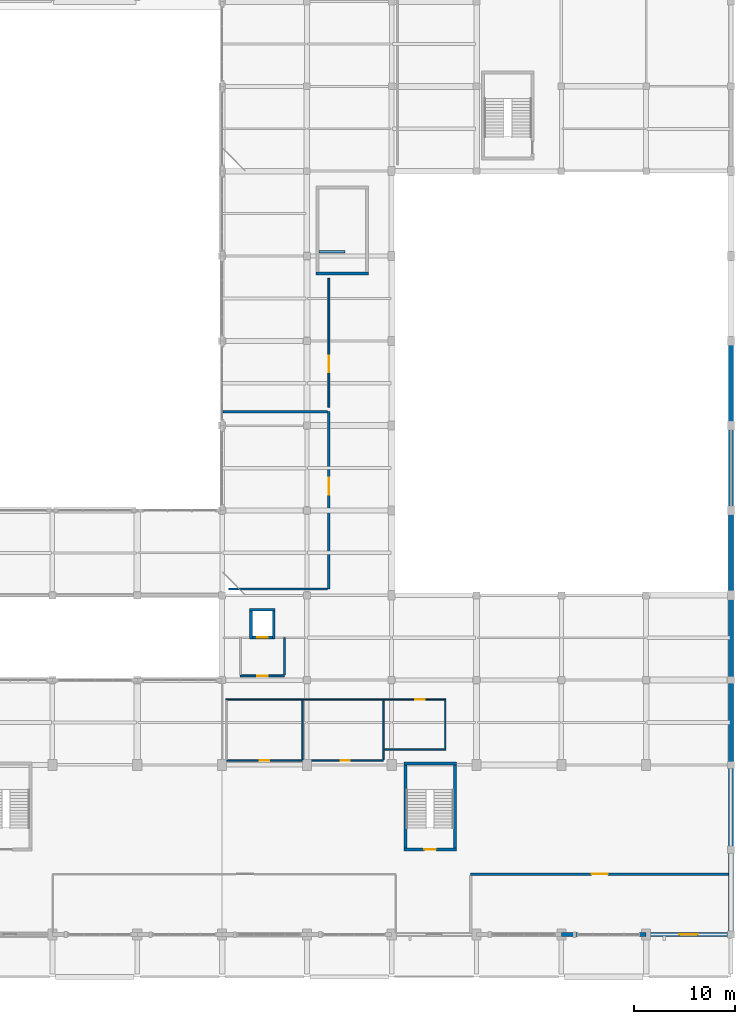
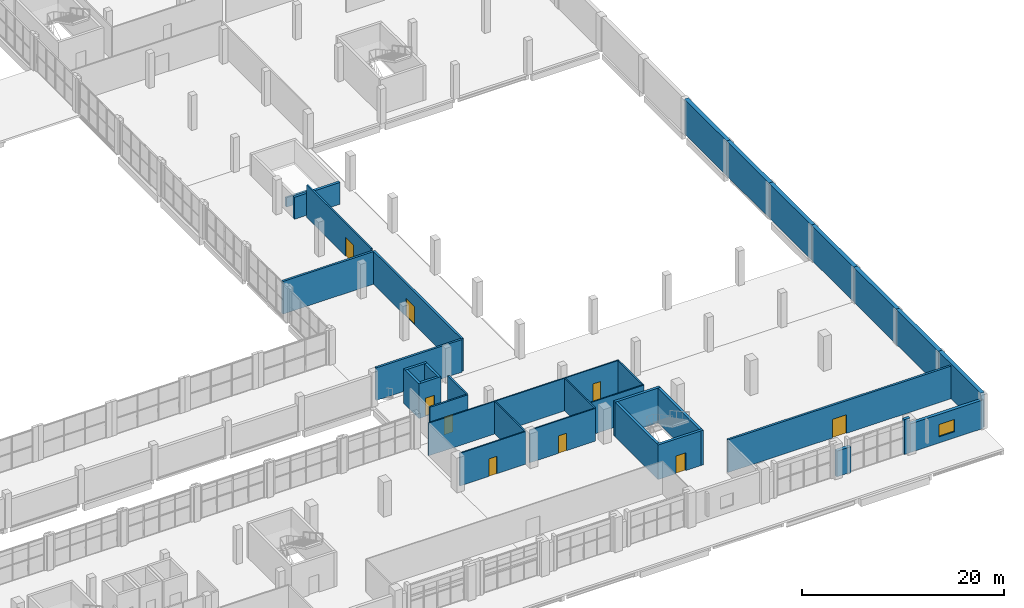
# One storey, part 53 of 59: 35 walls, 9 doors, 1 window, 10 openings.
"""IFC4 building model written with IfcOpenShell, lengths in metres."""

from ifc_helpers import new_model, si_unit, derived_unit, direction, frame, frame_2d, origin, place, context, subcontext, project, spatial, rectangle, extrude, material, layer, layer_set, type_object, element, fill, save


model = new_model("IFC4")

# Units and contexts
model_context = context("Model", 3, precision=1e-05, world=origin(), true_north=direction((0.0, 1.0)))
body_context = subcontext(model_context, "Body", "Model", "MODEL_VIEW")
ifc_project = project(units=[si_unit("LENGTHUNIT", "METRE"), si_unit("AREAUNIT", "SQUARE_METRE"), si_unit("VOLUMEUNIT", "CUBIC_METRE"), si_unit("PLANEANGLEUNIT", "RADIAN"), si_unit("MASSUNIT", "GRAM", prefix="KILO"), derived_unit("THERMALTRANSMITTANCEUNIT", [(si_unit("POWERUNIT", "WATT"), 1), (si_unit("LENGTHUNIT", "METRE"), -2), (si_unit("THERMODYNAMICTEMPERATUREUNIT", "KELVIN"), -1)])], contexts=[model_context])

# Site, building, storey
site_placement = place(None, origin())
site = spatial("IfcSite", under=ifc_project, at=site_placement, CompositionType="ELEMENT")
building_placement = place(site_placement, origin())
building = spatial("IfcBuilding", under=site, at=building_placement, Name="Barrovel Congress Hotel", CompositionType="ELEMENT")
storey_placement = place(building_placement, frame((0.0, 0.0, 9.89990234375)))
storey = spatial("IfcBuildingStorey", under=building, at=storey_placement, Name="L02", CompositionType="ELEMENT", Elevation=9.89990234375)

# Walls
ifc_material_1 = material(Name="Fired Clay Brick Masonry", Category="masonry")
ifc_layer_1 = layer(ifc_material_1, 0.360107421875)
ifc_layer_set_1 = layer_set([ifc_layer_1], Name="Fired Clay Brick Masonry")
wall_type_1 = type_object("IfcWallType", Name="EW-BRK360", PredefinedType="STANDARD", material=ifc_layer_set_1)
wall_1_placement = place(storey_placement, frame((159.60009765625, 4.199951171875, 0.0), z_axis=(0.0, 0.0, 1.0), x_axis=(1.0, 0.0, 0.0)))
element("IfcWall", 1, at=wall_1_placement, inside=storey, type_object=wall_type_1, Name="EW:L02:SJ-L:19", PredefinedType="STANDARD", context=body_context, shape_type="SweptSolid", body=[
    extrude(rectangle(XDim=1.619873046875, YDim=0.360107421875, at=frame_2d((0.81005859375, 0.0))), origin(), (0.0, 0.0, 1.0), 3.110107421875),
])
wall_2_placement = place(storey_placement, frame((167.340087890625, 4.199951171875, 0.0), z_axis=(0.0, 0.0, 1.0), x_axis=(1.0, 0.0, 0.0)))
element("IfcWall", 2, at=wall_2_placement, inside=storey, type_object=wall_type_1, Name="EW:L02:SJ-R:19", PredefinedType="STANDARD", context=body_context, shape_type="SweptSolid", body=[
    extrude(rectangle(XDim=0.659912109375, YDim=0.360107421875, at=frame_2d((0.330078125, 0.0))), origin(), (0.0, 0.0, 1.0), 4.2001953125),
])

# Wall, opening, window
wall_3_placement = place(storey_placement, frame((168.0, 4.199951171875, 0.0), z_axis=(0.0, 0.0, 1.0), x_axis=(1.0, 0.0, 0.0)))
wall_3 = element("IfcWall", 3, at=wall_3_placement, inside=storey, type_object=wall_type_1, Name="EW:L02:S:20", PredefinedType="STANDARD", context=body_context, shape_type="SweptSolid", body=[
    extrude(rectangle(XDim=8.39990234375, YDim=0.360107421875, at=frame_2d((4.199951171875, 0.0))), origin(), (0.0, 0.0, 1.0), 3.460205078125),
])
opening_1_placement = place(wall_3_placement, frame((3.300048828125, 0.0, 0.75)))
opening_1 = element("IfcOpeningElement", 4, at=opening_1_placement, cuts=wall_3, Name="Opening WN-08", PredefinedType="OPENING", context=body_context, shape_type="SweptSolid", body=[
    extrude(rectangle(XDim=1.800048828125, YDim=1.5, at=frame_2d((0.89990234375, 0.75))), frame((0.0, 0.18994140625, 0.0), z_axis=(0.0, -1.0, 0.0), x_axis=(1.0, 0.0, 0.0)), (0.0, 0.0, 1.0), 0.380126953125),
])
ifc_material_2 = material(Name="Double Low-E Insulated Glazing", Category="glass")
window_type = type_object("IfcWindowType", Name="WIN-WN-08", PartitioningType="SINGLE_PANEL", PredefinedType="WINDOW", material=ifc_material_2)
window_placement = place(opening_1_placement, origin())
window = element("IfcWindow", 5, at=window_placement, inside=storey, type_object=window_type, Name="WIN:L02:S:20", OverallHeight=1.5, OverallWidth=1.800048828125, PartitioningType="SINGLE_PANEL", PredefinedType="WINDOW", context=body_context, shape_type="SweptSolid", body=[
    extrude(rectangle(XDim=1.800048828125, YDim=1.5, at=frame_2d((0.89990234375, 0.75))), frame((0.0, 0.030029296875, 0.0), z_axis=(0.0, -1.0, 0.0), x_axis=(1.0, 0.0, 0.0)), (0.0, 0.0, 1.0), 0.06005859375),
])
fill(opening_1, window)

# Walls
ifc_layer_2 = layer(ifc_material_1, 0.219970703125)
ifc_layer_set_2 = layer_set([ifc_layer_2], Name="Fired Clay Brick Masonry")
wall_type_2 = type_object("IfcWallType", Name="EW-PAR220", PredefinedType="PARAPET", material=ifc_layer_set_2)
wall_4_placement = place(storey_placement, frame((135.6201171875, 71.820068359375, 0.0), z_axis=(0.0, 0.0, 1.0), x_axis=(1.0, 0.0, 0.0)))
element("IfcWall", 6, at=wall_4_placement, inside=storey, type_object=wall_type_2, Name="STAIR:XS-09:TOP-GR", PredefinedType="PARAPET", context=body_context, shape_type="SweptSolid", body=[
    extrude(rectangle(XDim=2.559814453125, YDim=0.219970703125, at=frame_2d((1.27978515625, 0.0))), origin(), (0.0, 0.0, 1.0), 1.14013671875),
])
ifc_layer_3 = layer(ifc_material_1, 0.449951171875)
ifc_layer_set_3 = layer_set([ifc_layer_3], Name="Fired Clay Brick Masonry")
wall_type_3 = type_object("IfcWallType", Name="EW-PW450", PredefinedType="STANDARD", material=ifc_layer_set_3)
wall_5_placement = place(storey_placement, frame((176.39990234375, 4.199951171875, 0.0), z_axis=(0.0, 0.0, 1.0), x_axis=(0.0, 1.0, 0.0)))
element("IfcWall", 7, at=wall_5_placement, inside=storey, type_object=wall_type_3, Name="EW:L02:PARTY:4.2", PredefinedType="STANDARD", context=body_context, shape_type="SweptSolid", body=[
    extrude(rectangle(XDim=8.400146484375, YDim=0.449951171875, at=frame_2d((4.2001953125, 0.0))), origin(), (0.0, 0.0, 1.0), 4.2001953125),
])
for number, where, z_axis, x_axis, name in (
    (8, (176.39990234375, 12.60009765625, 0.0), (0.0, 0.0, 1.0), (0.0, 1.0, 0.0), "EW:L02:PARTY:12.6"),
    (9, (176.39990234375, 21.0, 0.0), (0.0, 0.0, 1.0), (0.0, 1.0, 0.0), "EW:L02:PARTY:21.0"),
):
    element("IfcWall", number, at=place(storey_placement, frame(where, z_axis=z_axis, x_axis=x_axis)), inside=storey, type_object=wall_type_3, Name=name, PredefinedType="STANDARD", context=body_context, shape_type="SweptSolid", body=[
        extrude(rectangle(XDim=8.39990234375, YDim=0.449951171875, at=frame_2d((4.199951171875, 0.0))), origin(), (0.0, 0.0, 1.0), 4.2001953125),
    ])
wall_6_placement = place(storey_placement, frame((176.39990234375, 29.39990234375, 0.0), z_axis=(0.0, 0.0, 1.0), x_axis=(0.0, 1.0, 0.0)))
element("IfcWall", 10, at=wall_6_placement, inside=storey, type_object=wall_type_3, Name="EW:L02:PARTY:29.4", PredefinedType="STANDARD", context=body_context, shape_type="SweptSolid", body=[
    extrude(rectangle(XDim=8.400146484375, YDim=0.449951171875, at=frame_2d((4.2001953125, 0.0))), origin(), (0.0, 0.0, 1.0), 4.2001953125),
])
wall_7_placement = place(storey_placement, frame((176.39990234375, 37.800048828125, 0.0), z_axis=(0.0, 0.0, 1.0), x_axis=(0.0, 1.0, 0.0)))
element("IfcWall", 11, at=wall_7_placement, inside=storey, type_object=wall_type_3, Name="EW:L02:PARTY:37.8", PredefinedType="STANDARD", context=body_context, shape_type="SweptSolid", body=[
    extrude(rectangle(XDim=8.39990234375, YDim=0.449951171875, at=frame_2d((4.199951171875, 0.0))), origin(), (0.0, 0.0, 1.0), 4.2001953125),
])
wall_8_placement = place(storey_placement, frame((176.39990234375, 46.199951171875, 0.0), z_axis=(0.0, 0.0, 1.0), x_axis=(0.0, 1.0, 0.0)))
element("IfcWall", 12, at=wall_8_placement, inside=storey, type_object=wall_type_3, Name="EW:L02:PARTY:46.2", PredefinedType="STANDARD", context=body_context, shape_type="SweptSolid", body=[
    extrude(rectangle(XDim=8.400146484375, YDim=0.449951171875, at=frame_2d((4.2001953125, 0.0))), origin(), (0.0, 0.0, 1.0), 4.2001953125),
])
wall_9_placement = place(storey_placement, frame((176.39990234375, 54.60009765625, 0.0), z_axis=(0.0, 0.0, 1.0), x_axis=(0.0, 1.0, 0.0)))
element("IfcWall", 13, at=wall_9_placement, inside=storey, type_object=wall_type_3, Name="EW:L02:PARTY:54.6", PredefinedType="STANDARD", context=body_context, shape_type="SweptSolid", body=[
    extrude(rectangle(XDim=8.39990234375, YDim=0.449951171875, at=frame_2d((4.199951171875, 0.0))), origin(), (0.0, 0.0, 1.0), 4.2001953125),
])

# Wall, opening, door
ifc_material_3 = material(Name="Gypsum Acoustic Stud", Category="gypsum")
ifc_layer_4 = layer(ifc_material_3, 0.179931640625)
ifc_layer_set_4 = layer_set([ifc_layer_4], Name="Gypsum Acoustic Stud")
wall_type_4 = type_object("IfcWallType", Name="PW-ACU-180", PredefinedType="PARTITIONING", material=ifc_layer_set_4)
wall_10_placement = place(storey_placement, frame((127.820068359375, 29.820068359375, 0.0), z_axis=(0.0, 0.0, 1.0), x_axis=(1.0, 0.0, 0.0)))
wall_10 = element("IfcWall", 14, at=wall_10_placement, inside=storey, type_object=wall_type_4, Name="RW:SP:L02:LL-CL2:S", PredefinedType="PARTITIONING", context=body_context, shape_type="SweptSolid", body=[
    extrude(rectangle(XDim=4.35986328125, YDim=0.179931640625, at=frame_2d((2.179931640625, 0.0))), origin(), (0.0, 0.0, 1.0), 3.955078125),
])
opening_2_placement = place(wall_10_placement, frame((1.669921875, 0.0, 0.0)))
opening_2 = element("IfcOpeningElement", 15, at=opening_2_placement, cuts=wall_10, Name="Opening ID-ACC", PredefinedType="OPENING", context=body_context, shape_type="SweptSolid", body=[
    extrude(rectangle(XDim=1.02001953125, YDim=2.14990234375, at=frame_2d((0.510009765625, 1.074951171875))), frame((0.0, 0.10009765625, 0.0), z_axis=(0.0, -1.0, 0.0), x_axis=(1.0, 0.0, 0.0)), (0.0, 0.0, 1.0), 0.199951171875),
])
ifc_material_4 = material(Name="Solid Oak Acoustic Timber Door", Category="wood")
door_type_1 = type_object("IfcDoorType", Name="IDR-ID-ACC", OperationType="NOTDEFINED", PredefinedType="DOOR", material=ifc_material_4)
door_1_placement = place(opening_2_placement, origin())
door_1 = element("IfcDoor", 16, at=door_1_placement, inside=storey, type_object=door_type_1, Name="RD:SP:L02:LL-CL2", OperationType="SINGLE_SWING_LEFT", OverallHeight=2.14990234375, OverallWidth=1.02001953125, PredefinedType="DOOR", context=body_context, shape_type="SweptSolid", body=[
    extrude(rectangle(XDim=1.02001953125, YDim=2.14990234375, at=frame_2d((0.510009765625, 1.074951171875))), frame((0.0, 0.02490234375, 0.0), z_axis=(0.0, -1.0, 0.0), x_axis=(1.0, 0.0, 0.0)), (0.0, 0.0, 1.0), 0.050048828125),
])
fill(opening_2, door_1)

# Wall
wall_11_placement = place(storey_placement, frame((132.179931640625, 29.909912109375, 0.0), z_axis=(0.0, 0.0, 1.0), x_axis=(0.0, 1.0, 0.0)))
element("IfcWall", 17, at=wall_11_placement, inside=storey, type_object=wall_type_4, Name="RW:SP:L02:LL-CL2:E", PredefinedType="PARTITIONING", context=body_context, shape_type="SweptSolid", body=[
    extrude(rectangle(XDim=3.670166015625, YDim=0.179931640625, at=frame_2d((1.8349609375, 0.0))), origin(), (0.0, 0.0, 1.0), 3.955078125),
])

# Wall, opening, door
wall_12_placement = place(storey_placement, frame((136.580078125, 56.419921875, 0.0), z_axis=(0.0, 0.0, 1.0), x_axis=(0.0, 1.0, 0.0)))
wall_12 = element("IfcWall", 18, at=wall_12_placement, inside=storey, type_object=wall_type_4, Name="RW:SP:L02:BSAL-2:E", PredefinedType="PARTITIONING", context=body_context, shape_type="SweptSolid", body=[
    extrude(rectangle(XDim=12.760009765625, YDim=0.179931640625, at=frame_2d((6.3798828125, 0.0))), origin(), (0.0, 0.0, 1.0), 3.955078125),
])
opening_3_placement = place(wall_12_placement, frame((3.47998046875, 0.0, 0.0)))
opening_3 = element("IfcOpeningElement", 19, at=opening_3_placement, cuts=wall_12, Name="Opening ID-MTG", PredefinedType="OPENING", context=body_context, shape_type="SweptSolid", body=[
    extrude(rectangle(XDim=1.60009765625, YDim=2.25, at=frame_2d((0.800048828125, 1.125))), frame((0.0, 0.10009765625, 0.0), z_axis=(0.0, -1.0, 0.0), x_axis=(1.0, 0.0, 0.0)), (0.0, 0.0, 1.0), 0.199951171875),
])
door_type_2 = type_object("IfcDoorType", Name="IDR-ID-MTG", OperationType="NOTDEFINED", PredefinedType="DOOR", material=ifc_material_4)
door_2_placement = place(opening_3_placement, origin())
door_2 = element("IfcDoor", 20, at=door_2_placement, inside=storey, type_object=door_type_2, Name="RD:SP:L02:BSAL-2", OperationType="DOUBLE_DOOR_SINGLE_SWING", OverallHeight=2.25, OverallWidth=1.60009765625, PredefinedType="DOOR", context=body_context, shape_type="SweptSolid", body=[
    extrude(rectangle(XDim=1.60009765625, YDim=2.25, at=frame_2d((0.800048828125, 1.125))), frame((0.0, 0.02490234375, 0.0), z_axis=(0.0, -1.0, 0.0), x_axis=(1.0, 0.0, 0.0)), (0.0, 0.0, 1.0), 0.050048828125),
])
fill(opening_3, door_2)

ifc_layer_5 = layer(ifc_material_1, 0.239990234375)
ifc_layer_set_5 = layer_set([ifc_layer_5], Name="Fired Clay Brick Masonry")
wall_type_5 = type_object("IfcWallType", Name="PW-MAS-240", PredefinedType="PARTITIONING", material=ifc_layer_set_5)
wall_13_placement = place(storey_placement, frame((150.6201171875, 10.179931640625, 0.0), z_axis=(0.0, 0.0, 1.0), x_axis=(1.0, 0.0, 0.0)))
wall_13 = element("IfcWall", 21, at=wall_13_placement, inside=storey, type_object=wall_type_5, Name="RW:SP:L02:CONF-B:N", PredefinedType="PARTITIONING", context=body_context, shape_type="SweptSolid", body=[
    extrude(rectangle(XDim=25.554931640625, YDim=0.239990234375, at=frame_2d((12.77734375, 0.0))), origin(), (0.0, 0.0, 1.0), 3.955078125),
])
opening_4_placement = place(wall_13_placement, frame((11.9775390625, 0.0, 0.0)))
opening_4 = element("IfcOpeningElement", 22, at=opening_4_placement, cuts=wall_13, Name="Opening ID-MTG", PredefinedType="OPENING", context=body_context, shape_type="SweptSolid", body=[
    extrude(rectangle(XDim=1.60009765625, YDim=2.25, at=frame_2d((0.800048828125, 1.125))), frame((0.0, 0.1298828125, 0.0), z_axis=(0.0, -1.0, 0.0), x_axis=(1.0, 0.0, 0.0)), (0.0, 0.0, 1.0), 0.260009765625),
])
door_3_placement = place(opening_4_placement, origin())
door_3 = element("IfcDoor", 23, at=door_3_placement, inside=storey, type_object=door_type_2, Name="RD:SP:L02:CONF-B", OperationType="DOUBLE_DOOR_SINGLE_SWING", OverallHeight=2.25, OverallWidth=1.60009765625, PredefinedType="DOOR", context=body_context, shape_type="SweptSolid", body=[
    extrude(rectangle(XDim=1.60009765625, YDim=2.25, at=frame_2d((0.800048828125, 1.125))), frame((0.0, 0.02490234375, 0.0), z_axis=(0.0, -1.0, 0.0), x_axis=(1.0, 0.0, 0.0)), (0.0, 0.0, 1.0), 0.050048828125),
])
fill(opening_4, door_3)

wall_14_placement = place(storey_placement, frame((136.580078125, 38.419921875, 0.0), z_axis=(0.0, 0.0, 1.0), x_axis=(0.0, 1.0, 0.0)))
wall_14 = element("IfcWall", 24, at=wall_14_placement, inside=storey, type_object=wall_type_5, Name="RW:SP:L02:BKIT:E", PredefinedType="PARTITIONING", context=body_context, shape_type="SweptSolid", body=[
    extrude(rectangle(XDim=17.56005859375, YDim=0.239990234375, at=frame_2d((8.780029296875, 0.0))), origin(), (0.0, 0.0, 1.0), 3.955078125),
])
opening_5_placement = place(wall_14_placement, frame((9.330078125, 0.0, 0.0)))
opening_5 = element("IfcOpeningElement", 25, at=opening_5_placement, cuts=wall_14, Name="Opening ID-KIT", PredefinedType="OPENING", context=body_context, shape_type="SweptSolid", body=[
    extrude(rectangle(XDim=1.699951171875, YDim=2.199951171875, at=frame_2d((0.85009765625, 1.10009765625))), frame((0.0, 0.1298828125, 0.0), z_axis=(0.0, -1.0, 0.0), x_axis=(1.0, 0.0, 0.0)), (0.0, 0.0, 1.0), 0.260009765625),
])
ifc_material_5 = material(Name="Brushed Stainless Steel", Category="steel")
door_type_3 = type_object("IfcDoorType", Name="IDR-ID-KIT", OperationType="NOTDEFINED", PredefinedType="DOOR", material=ifc_material_5)
door_4_placement = place(opening_5_placement, origin())
door_4 = element("IfcDoor", 26, at=door_4_placement, inside=storey, type_object=door_type_3, Name="RD:SP:L02:BKIT", OperationType="DOUBLE_DOOR_SINGLE_SWING", OverallHeight=2.199951171875, OverallWidth=1.699951171875, PredefinedType="DOOR", context=body_context, shape_type="SweptSolid", body=[
    extrude(rectangle(XDim=1.699951171875, YDim=2.199951171875, at=frame_2d((0.85009765625, 1.10009765625))), frame((0.0, 0.02490234375, 0.0), z_axis=(0.0, -1.0, 0.0), x_axis=(1.0, 0.0, 0.0)), (0.0, 0.0, 1.0), 0.050048828125),
])
fill(opening_5, door_4)

# Walls
wall_15_placement = place(storey_placement, frame((126.6201171875, 38.419921875, 0.0), z_axis=(0.0, 0.0, 1.0), x_axis=(1.0, 0.0, 0.0)))
element("IfcWall", 27, at=wall_15_placement, inside=storey, type_object=wall_type_5, Name="RW:SP:L02:BKIT:S", PredefinedType="PARTITIONING", context=body_context, shape_type="SweptSolid", body=[
    extrude(rectangle(XDim=9.83984375, YDim=0.239990234375, at=frame_2d((4.919921875, 0.0))), origin(), (0.0, 0.0, 1.0), 3.955078125),
])
wall_16_placement = place(storey_placement, frame((126.080078125, 55.97998046875, 0.0), z_axis=(0.0, 0.0, 1.0), x_axis=(1.0, 0.0, 0.0)))
element("IfcWall", 28, at=wall_16_placement, inside=storey, type_object=wall_type_5, Name="RW:SP:L02:BKIT:N", PredefinedType="PARTITIONING", context=body_context, shape_type="SweptSolid", body=[
    extrude(rectangle(XDim=10.3798828125, YDim=0.239990234375, at=frame_2d((5.18994140625, 0.0))), origin(), (0.0, 0.0, 1.0), 3.955078125),
])
ifc_material_6 = material(Name="Gypsum Moisture Board", Category="gypsum")
ifc_layer_6 = layer(ifc_material_6, 0.139892578125)
ifc_layer_set_6 = layer_set([ifc_layer_6], Name="Gypsum Moisture Board")
wall_type_6 = type_object("IfcWallType", Name="PW-WET-140", PredefinedType="PARTITIONING", material=ifc_layer_set_6)
wall_17_placement = place(storey_placement, frame((126.35009765625, 27.47998046875, 0.0), z_axis=(0.0, 0.0, 1.0), x_axis=(1.0, 0.0, 0.0)))
element("IfcWall", 29, at=wall_17_placement, inside=storey, type_object=wall_type_6, Name="RW:SP:L02:WCB:N", PredefinedType="PARTITIONING", context=body_context, shape_type="SweptSolid", body=[
    extrude(rectangle(XDim=15.699951171875, YDim=0.139892578125, at=frame_2d((7.85009765625, 0.0))), origin(), (0.0, 0.0, 1.0), 3.955078125),
])

# Wall, opening, door
wall_18_placement = place(storey_placement, frame((126.419921875, 21.419921875, 0.0), z_axis=(0.0, 0.0, 1.0), x_axis=(1.0, 0.0, 0.0)))
wall_18 = element("IfcWall", 30, at=wall_18_placement, inside=storey, type_object=wall_type_6, Name="RW:SP:L02:WC-M2:S", PredefinedType="PARTITIONING", context=body_context, shape_type="SweptSolid", body=[
    extrude(rectangle(XDim=7.56005859375, YDim=0.139892578125, at=frame_2d((3.780029296875, 0.0))), origin(), (0.0, 0.0, 1.0), 3.955078125),
])
opening_6_placement = place(wall_18_placement, frame((3.330078125, 0.0, 0.0)))
opening_6 = element("IfcOpeningElement", 31, at=opening_6_placement, cuts=wall_18, Name="Opening ID-WC1", PredefinedType="OPENING", context=body_context, shape_type="SweptSolid", body=[
    extrude(rectangle(XDim=0.89990234375, YDim=2.1201171875, at=frame_2d((0.449951171875, 1.06005859375))), frame((0.0, 0.080078125, 0.0), z_axis=(0.0, -1.0, 0.0), x_axis=(1.0, 0.0, 0.0)), (0.0, 0.0, 1.0), 0.159912109375),
])
ifc_material_7 = material(Name="Lacquered Timber Moisture Door", Category="wood")
door_type_4 = type_object("IfcDoorType", Name="IDR-ID-WC1", OperationType="NOTDEFINED", PredefinedType="DOOR", material=ifc_material_7)
door_5_placement = place(opening_6_placement, origin())
door_5 = element("IfcDoor", 32, at=door_5_placement, inside=storey, type_object=door_type_4, Name="RD:SP:L02:WC-M2", OperationType="SINGLE_SWING_LEFT", OverallHeight=2.1201171875, OverallWidth=0.89990234375, PredefinedType="DOOR", context=body_context, shape_type="SweptSolid", body=[
    extrude(rectangle(XDim=0.89990234375, YDim=2.1201171875, at=frame_2d((0.449951171875, 1.06005859375))), frame((0.0, 0.02490234375, 0.0), z_axis=(0.0, -1.0, 0.0), x_axis=(1.0, 0.0, 0.0)), (0.0, 0.0, 1.0), 0.050048828125),
])
fill(opening_6, door_5)

# Wall
wall_19_placement = place(storey_placement, frame((133.97998046875, 21.489990234375, 0.0), z_axis=(0.0, 0.0, 1.0), x_axis=(0.0, 1.0, 0.0)))
element("IfcWall", 33, at=wall_19_placement, inside=storey, type_object=wall_type_6, Name="RW:SP:L02:WC-M2:E", PredefinedType="PARTITIONING", context=body_context, shape_type="SweptSolid", body=[
    extrude(rectangle(XDim=5.919921875, YDim=0.139892578125, at=frame_2d((2.9599609375, 0.0))), origin(), (0.0, 0.0, 1.0), 3.955078125),
])

# Wall, opening, door
wall_20_placement = place(storey_placement, frame((134.419921875, 21.419921875, 0.0), z_axis=(0.0, 0.0, 1.0), x_axis=(1.0, 0.0, 0.0)))
wall_20 = element("IfcWall", 34, at=wall_20_placement, inside=storey, type_object=wall_type_6, Name="RW:SP:L02:WC-F2:S", PredefinedType="PARTITIONING", context=body_context, shape_type="SweptSolid", body=[
    extrude(rectangle(XDim=7.56005859375, YDim=0.139892578125, at=frame_2d((3.780029296875, 0.0))), origin(), (0.0, 0.0, 1.0), 3.955078125),
])
opening_7_placement = place(wall_20_placement, frame((3.330078125, 0.0, 0.0)))
opening_7 = element("IfcOpeningElement", 35, at=opening_7_placement, cuts=wall_20, Name="Opening ID-WC1", PredefinedType="OPENING", context=body_context, shape_type="SweptSolid", body=[
    extrude(rectangle(XDim=0.89990234375, YDim=2.1201171875, at=frame_2d((0.449951171875, 1.06005859375))), frame((0.0, 0.080078125, 0.0), z_axis=(0.0, -1.0, 0.0), x_axis=(1.0, 0.0, 0.0)), (0.0, 0.0, 1.0), 0.159912109375),
])
door_6_placement = place(opening_7_placement, origin())
door_6 = element("IfcDoor", 36, at=door_6_placement, inside=storey, type_object=door_type_4, Name="RD:SP:L02:WC-F2", OperationType="SINGLE_SWING_RIGHT", OverallHeight=2.1201171875, OverallWidth=0.89990234375, PredefinedType="DOOR", context=body_context, shape_type="SweptSolid", body=[
    extrude(rectangle(XDim=0.89990234375, YDim=2.1201171875, at=frame_2d((0.449951171875, 1.06005859375))), frame((0.0, 0.02490234375, 0.0), z_axis=(0.0, -1.0, 0.0), x_axis=(1.0, 0.0, 0.0)), (0.0, 0.0, 1.0), 0.050048828125),
])
fill(opening_7, door_6)

# Walls
wall_21_placement = place(storey_placement, frame((141.97998046875, 21.489990234375, 0.0), z_axis=(0.0, 0.0, 1.0), x_axis=(0.0, 1.0, 0.0)))
element("IfcWall", 37, at=wall_21_placement, inside=storey, type_object=wall_type_6, Name="RW:SP:L02:WC-F2:E", PredefinedType="PARTITIONING", context=body_context, shape_type="SweptSolid", body=[
    extrude(rectangle(XDim=5.919921875, YDim=0.139892578125, at=frame_2d((2.9599609375, 0.0))), origin(), (0.0, 0.0, 1.0), 3.955078125),
])
wall_22_placement = place(storey_placement, frame((142.050048828125, 22.52001953125, 0.0), z_axis=(0.0, 0.0, 1.0), x_axis=(1.0, 0.0, 0.0)))
element("IfcWall", 38, at=wall_22_placement, inside=storey, type_object=wall_type_6, Name="RW:SP:L02:WC-A2:S", PredefinedType="PARTITIONING", context=body_context, shape_type="SweptSolid", body=[
    extrude(rectangle(XDim=6.119873046875, YDim=0.139892578125, at=frame_2d((3.06005859375, 0.0))), origin(), (0.0, 0.0, 1.0), 3.955078125),
])
wall_23_placement = place(storey_placement, frame((148.10009765625, 22.590087890625, 0.0), z_axis=(0.0, 0.0, 1.0), x_axis=(0.0, 1.0, 0.0)))
element("IfcWall", 39, at=wall_23_placement, inside=storey, type_object=wall_type_6, Name="RW:SP:L02:WC-A2:E", PredefinedType="PARTITIONING", context=body_context, shape_type="SweptSolid", body=[
    extrude(rectangle(XDim=4.81982421875, YDim=0.139892578125, at=frame_2d((2.409912109375, 0.0))), origin(), (0.0, 0.0, 1.0), 3.955078125),
])

# Wall, opening, door
wall_24_placement = place(storey_placement, frame((142.050048828125, 27.47998046875, 0.0), z_axis=(0.0, 0.0, 1.0), x_axis=(1.0, 0.0, 0.0)))
wall_24 = element("IfcWall", 40, at=wall_24_placement, inside=storey, type_object=wall_type_6, Name="RW:SP:L02:WC-A2:N", PredefinedType="PARTITIONING", context=body_context, shape_type="SweptSolid", body=[
    extrude(rectangle(XDim=6.119873046875, YDim=0.139892578125, at=frame_2d((3.06005859375, 0.0))), origin(), (0.0, 0.0, 1.0), 3.955078125),
])
opening_8_placement = place(wall_24_placement, frame((3.10009765625, 0.0, 0.0)))
opening_8 = element("IfcOpeningElement", 41, at=opening_8_placement, cuts=wall_24, Name="Opening ID-WC1", PredefinedType="OPENING", context=body_context, shape_type="SweptSolid", body=[
    extrude(rectangle(XDim=0.89990234375, YDim=2.1201171875, at=frame_2d((0.449951171875, 1.06005859375))), frame((0.0, 0.080078125, 0.0), z_axis=(0.0, -1.0, 0.0), x_axis=(1.0, 0.0, 0.0)), (0.0, 0.0, 1.0), 0.159912109375),
])
door_7_placement = place(opening_8_placement, origin())
door_7 = element("IfcDoor", 42, at=door_7_placement, inside=storey, type_object=door_type_4, Name="RD:SP:L02:WC-A2", OperationType="SINGLE_SWING_LEFT", OverallHeight=2.1201171875, OverallWidth=0.89990234375, PredefinedType="DOOR", context=body_context, shape_type="SweptSolid", body=[
    extrude(rectangle(XDim=0.89990234375, YDim=2.1201171875, at=frame_2d((0.449951171875, 1.06005859375))), frame((0.0, 0.02490234375, 0.0), z_axis=(0.0, -1.0, 0.0), x_axis=(1.0, 0.0, 0.0)), (0.0, 0.0, 1.0), 0.050048828125),
])
fill(opening_8, door_7)

ifc_material_8 = material(Name="Concrete C40", Category="concrete")
ifc_layer_7 = layer(ifc_material_8, 0.280029296875)
ifc_layer_set_7 = layer_set([ifc_layer_7], Name="Concrete C40")
wall_type_7 = type_object("IfcWallType", Name="SW-C40-280", PredefinedType="SHEAR", material=ifc_layer_set_7)
wall_25_placement = place(storey_placement, frame((128.739990234375, 33.6298828125, 0.0), z_axis=(0.0, 0.0, 1.0), x_axis=(1.0, 0.0, 0.0)))
wall_25 = element("IfcWall", 43, at=wall_25_placement, inside=storey, type_object=wall_type_7, Name="LSH:CL-2:L02:S", PredefinedType="SHEAR", context=body_context, shape_type="SweptSolid", body=[
    extrude(rectangle(XDim=2.52001953125, YDim=0.280029296875, at=frame_2d((1.260009765625, 0.0))), origin(), (0.0, 0.0, 1.0), 4.2001953125),
])
opening_9_placement = place(wall_25_placement, frame((0.735107421875, 0.0, 0.0)))
opening_9 = element("IfcOpeningElement", 44, at=opening_9_placement, cuts=wall_25, Name="Opening LD-PAX", PredefinedType="OPENING", context=body_context, shape_type="SweptSolid", body=[
    extrude(rectangle(XDim=1.050048828125, YDim=2.199951171875, at=frame_2d((0.52490234375, 1.10009765625))), frame((0.0, 0.14990234375, 0.0), z_axis=(0.0, -1.0, 0.0), x_axis=(1.0, 0.0, 0.0)), (0.0, 0.0, 1.0), 0.300048828125),
])
door_type_5 = type_object("IfcDoorType", Name="IDR-LD-PAX", OperationType="NOTDEFINED", PredefinedType="DOOR", material=ifc_material_5)
door_8_placement = place(opening_9_placement, origin())
door_8 = element("IfcDoor", 45, at=door_8_placement, inside=storey, type_object=door_type_5, Name="Lift Landing Door LD-CL-2-L02", OperationType="SLIDING_TO_LEFT", OverallHeight=2.199951171875, OverallWidth=1.050048828125, PredefinedType="DOOR", context=body_context, shape_type="SweptSolid", body=[
    extrude(rectangle(XDim=1.050048828125, YDim=2.199951171875, at=frame_2d((0.52490234375, 1.10009765625))), frame((0.0, 0.02490234375, 0.0), z_axis=(0.0, -1.0, 0.0), x_axis=(1.0, 0.0, 0.0)), (0.0, 0.0, 1.0), 0.050048828125),
])
fill(opening_9, door_8)

# Walls
wall_26_placement = place(storey_placement, frame((131.1201171875, 33.489990234375, 0.0), z_axis=(0.0, 0.0, 1.0), x_axis=(0.0, 1.0, 0.0)))
element("IfcWall", 46, at=wall_26_placement, inside=storey, type_object=wall_type_7, Name="LSH:CL-2:L02:E", PredefinedType="SHEAR", context=body_context, shape_type="SweptSolid", body=[
    extrude(rectangle(XDim=3.02001953125, YDim=0.280029296875, at=frame_2d((1.510009765625, 0.0))), origin(), (0.0, 0.0, 1.0), 4.2001953125),
])
wall_27_placement = place(storey_placement, frame((131.260009765625, 36.3701171875, 0.0), z_axis=(0.0, 0.0, 1.0), x_axis=(-1.0, 0.0, 0.0)))
element("IfcWall", 47, at=wall_27_placement, inside=storey, type_object=wall_type_7, Name="LSH:CL-2:L02:N", PredefinedType="SHEAR", context=body_context, shape_type="SweptSolid", body=[
    extrude(rectangle(XDim=2.52001953125, YDim=0.280029296875, at=frame_2d((1.260009765625, 0.0))), origin(), (0.0, 0.0, 1.0), 4.2001953125),
])
wall_28_placement = place(storey_placement, frame((128.8798828125, 36.510009765625, 0.0), z_axis=(0.0, 0.0, 1.0), x_axis=(0.0, -1.0, 0.0)))
element("IfcWall", 48, at=wall_28_placement, inside=storey, type_object=wall_type_7, Name="LSH:CL-2:L02:W", PredefinedType="SHEAR", context=body_context, shape_type="SweptSolid", body=[
    extrude(rectangle(XDim=3.02001953125, YDim=0.280029296875, at=frame_2d((1.510009765625, 0.0))), origin(), (0.0, 0.0, 1.0), 4.2001953125),
])

# Wall, opening, door
ifc_layer_8 = layer(ifc_material_8, 0.300048828125)
ifc_layer_set_8 = layer_set([ifc_layer_8], Name="Concrete C40")
wall_type_8 = type_object("IfcWallType", Name="SW-C40-300", PredefinedType="SHEAR", material=ifc_layer_set_8)
wall_29_placement = place(storey_placement, frame((144.0, 12.610107421875, 0.0), z_axis=(0.0, 0.0, 1.0), x_axis=(1.0, 0.0, 0.0)))
wall_29 = element("IfcWall", 49, at=wall_29_placement, inside=storey, type_object=wall_type_8, Name="SHW:XS-04:L02:S", PredefinedType="SHEAR", context=body_context, shape_type="SweptSolid", body=[
    extrude(rectangle(XDim=5.199951171875, YDim=0.300048828125, at=frame_2d((2.60009765625, 0.0))), origin(), (0.0, 0.0, 1.0), 4.2001953125),
])
opening_10_placement = place(wall_29_placement, frame((2.02490234375, 0.0, 0.0)))
opening_10 = element("IfcOpeningElement", 50, at=opening_10_placement, cuts=wall_29, Name="Opening ID-ST1", PredefinedType="OPENING", context=body_context, shape_type="SweptSolid", body=[
    extrude(rectangle(XDim=1.14990234375, YDim=2.14990234375, at=frame_2d((0.574951171875, 1.074951171875))), frame((0.0, 0.16015625, 0.0), z_axis=(0.0, -1.0, 0.0), x_axis=(1.0, 0.0, 0.0)), (0.0, 0.0, 1.0), 0.320068359375),
])
ifc_material_9 = material(Name="Painted Hollow-Metal Steel Door", Category="steel")
door_type_6 = type_object("IfcDoorType", Name="IDR-ID-ST1", OperationType="NOTDEFINED", PredefinedType="DOOR", material=ifc_material_9)
door_9_placement = place(opening_10_placement, origin())
door_9 = element("IfcDoor", 51, at=door_9_placement, inside=storey, type_object=door_type_6, Name="Stair Core Fire Door XS-04-L02", OperationType="SINGLE_SWING_LEFT", OverallHeight=2.14990234375, OverallWidth=1.14990234375, PredefinedType="DOOR", context=body_context, shape_type="SweptSolid", body=[
    extrude(rectangle(XDim=1.14990234375, YDim=2.14990234375, at=frame_2d((0.574951171875, 1.074951171875))), frame((0.0, 0.02490234375, 0.0), z_axis=(0.0, -1.0, 0.0), x_axis=(1.0, 0.0, 0.0)), (0.0, 0.0, 1.0), 0.050048828125),
])
fill(opening_10, door_9)

# Walls
wall_30_placement = place(storey_placement, frame((149.050048828125, 12.4599609375, 0.0), z_axis=(0.0, 0.0, 1.0), x_axis=(0.0, 1.0, 0.0)))
element("IfcWall", 52, at=wall_30_placement, inside=storey, type_object=wall_type_8, Name="SHW:XS-04:L02:E", PredefinedType="SHEAR", context=body_context, shape_type="SweptSolid", body=[
    extrude(rectangle(XDim=8.840087890625, YDim=0.300048828125, at=frame_2d((4.419921875, 0.0))), origin(), (0.0, 0.0, 1.0), 4.2001953125),
])
wall_31_placement = place(storey_placement, frame((149.199951171875, 21.14990234375, 0.0), z_axis=(0.0, 0.0, 1.0), x_axis=(-1.0, 0.0, 0.0)))
element("IfcWall", 53, at=wall_31_placement, inside=storey, type_object=wall_type_8, Name="SHW:XS-04:L02:N", PredefinedType="SHEAR", context=body_context, shape_type="SweptSolid", body=[
    extrude(rectangle(XDim=5.199951171875, YDim=0.300048828125, at=frame_2d((2.60009765625, 0.0))), origin(), (0.0, 0.0, 1.0), 4.2001953125),
])
wall_32_placement = place(storey_placement, frame((144.14990234375, 21.300048828125, 0.0), z_axis=(0.0, 0.0, 1.0), x_axis=(0.0, -1.0, 0.0)))
element("IfcWall", 54, at=wall_32_placement, inside=storey, type_object=wall_type_8, Name="SHW:XS-04:L02:W", PredefinedType="SHEAR", context=body_context, shape_type="SweptSolid", body=[
    extrude(rectangle(XDim=8.840087890625, YDim=0.300048828125, at=frame_2d((4.419921875, 0.0))), origin(), (0.0, 0.0, 1.0), 4.2001953125),
])
wall_33_placement = place(storey_placement, frame((135.300048828125, 69.64990234375, 0.0), z_axis=(0.0, 0.0, 1.0), x_axis=(1.0, 0.0, 0.0)))
element("IfcWall", 55, at=wall_33_placement, inside=storey, type_object=wall_type_8, Name="SHW:XS-09:L02:S", PredefinedType="SHEAR", context=body_context, shape_type="SweptSolid", body=[
    extrude(rectangle(XDim=5.199951171875, YDim=0.300048828125, at=frame_2d((2.60009765625, 0.0))), origin(), (0.0, 0.0, 1.0), 2.650146484375),
])

save(model, "model.ifc")
